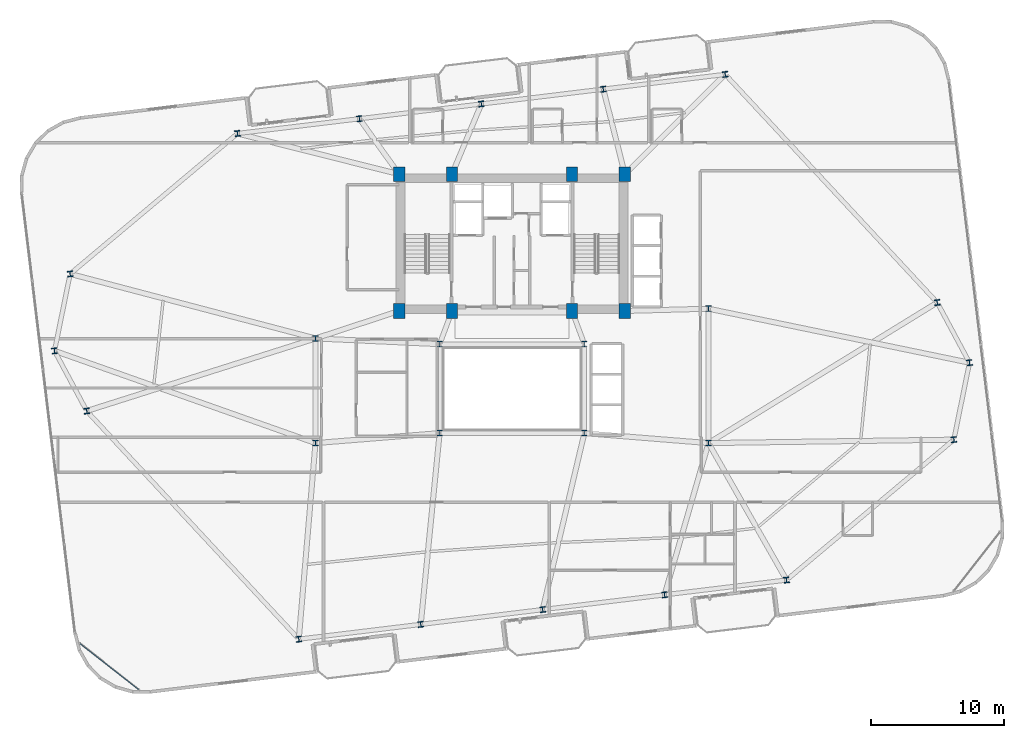
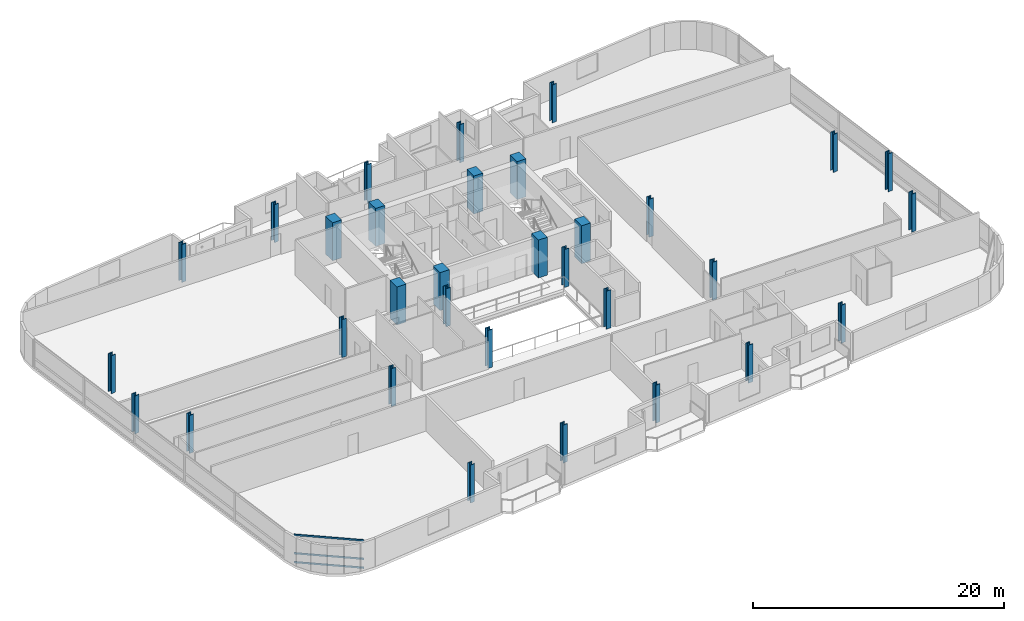
# One storey, part 1 of 23: 32 columns, 3 members, 1 element without a shape of its own.
"""IFC4 building model written with IfcOpenShell, lengths in metres."""

from ifc_helpers import new_model, si_unit, direction, frame, origin, origin_2d, place, context, subcontext, project, spatial, rectangle, hollow_rectangle, i_section, extrude, material, layer, layer_set, material_profile, profile_set, type_object, element, aggregate, save


model = new_model("IFC4")

# Units and contexts
model_context = context("Model", 3, precision=1e-05, world=origin(), true_north=direction((0.0, 1.0)))
body_context = subcontext(model_context, "Body", "Model", "MODEL_VIEW")
ifc_project = project(units=[si_unit("LENGTHUNIT", "METRE"), si_unit("AREAUNIT", "SQUARE_METRE"), si_unit("VOLUMEUNIT", "CUBIC_METRE"), si_unit("PLANEANGLEUNIT", "RADIAN"), si_unit("MASSUNIT", "GRAM", prefix="KILO")], contexts=[model_context])

# Site, building, storey
site_placement = place(None, origin())
site = spatial("IfcSite", under=ifc_project, at=site_placement, CompositionType="ELEMENT")
building_placement = place(site_placement, origin())
building = spatial("IfcBuilding", under=site, at=building_placement, Name="Varnelok Gate Tower", CompositionType="ELEMENT")
storey_placement = place(building_placement, frame((0.0, 0.0, 182.0)))
storey = spatial("IfcBuildingStorey", under=building, at=storey_placement, Name="L46", CompositionType="ELEMENT", Elevation=182.0)

# Columns
ifc_material_1 = material(Name="Concrete C60/75", Category="concrete")
ifc_material_profile_1 = material_profile(ifc_material_1, rectangle(XDim=0.85009765625, YDim=1.10009765625, at=origin_2d()), Name="RC1100X850")
ifc_profile_set_1 = profile_set([ifc_material_profile_1], Name="Concrete C60/75")
column_type_1 = type_object("IfcColumnType", Name="COL-RC1100X850", PredefinedType="COLUMN", material=ifc_profile_set_1)
for number, where, z_axis, x_axis, name in (
    (1, (30.699951171875, 28.75, 0.0), (0.0, 0.0, 1.0), (1.0, 0.0, 0.0), "L46 Core Spine Column SC1"),
    (2, (34.679931640625, 28.75, 0.0), (0.0, 0.0, 1.0), (1.0, 0.0, 0.0), "L46 Core Spine Column SC2"),
    (3, (43.719970703125, 28.75, 0.0), (0.0, 0.0, 1.0), (1.0, 0.0, 0.0), "L46 Core Spine Column SC3"),
    (4, (47.699951171875, 28.75, 0.0), (0.0, 0.0, 1.0), (1.0, 0.0, 0.0), "L46 Core Spine Column SC4"),
    (5, (30.699951171875, 39.050048828125, 0.0), (0.0, 0.0, 1.0), (1.0, 0.0, 0.0), "L46 Core Spine Column SC5"),
    (6, (34.679931640625, 39.050048828125, 0.0), (0.0, 0.0, 1.0), (1.0, 0.0, 0.0), "L46 Core Spine Column SC6"),
    (7, (43.719970703125, 39.050048828125, 0.0), (0.0, 0.0, 1.0), (1.0, 0.0, 0.0), "L46 Core Spine Column SC7"),
    (8, (47.699951171875, 39.050048828125, 0.0), (0.0, 0.0, 1.0), (1.0, 0.0, 0.0), "L46 Core Spine Column SC8"),
):
    element("IfcColumn", number, at=place(storey_placement, frame(where, z_axis=z_axis, x_axis=x_axis)), inside=storey, type_object=column_type_1, Name=name, PredefinedType="COLUMN", context=body_context, shape_type="SweptSolid", body=[
        extrude(rectangle(XDim=0.85009765625, YDim=1.10009765625, at=origin_2d()), origin(), (0.0, 0.0, 1.0), 3.699951171875),
    ])
ifc_material_2 = material(Name="Structural Steel ASTM A992 Grade 50", Category="steel")
ifc_material_profile_2 = material_profile(ifc_material_2, i_section(OverallWidth=0.412109375, OverallDepth=0.43505859375, WebThickness=0.035888671875, FlangeThickness=0.057373046875, FilletRadius=0.02490234375, at=origin_2d()), Name="W14X311")
ifc_profile_set_2 = profile_set([ifc_material_profile_2], Name="Structural Steel ASTM A992 Grade 50")
column_type_2 = type_object("IfcColumnType", Name="COL-W14X311", PredefinedType="COLUMN", material=ifc_profile_set_2)
for number, where, z_axis, x_axis, name in (
    (9, (23.142578125, 4.032958984375, 0.0), (0.0, 0.0, 1.0), (0.992732158755, 0.12034475881, 0.0), "L46 B4 Perimeter Column PC01"),
    (10, (32.325439453125, 5.146240234375, 0.0), (0.0, 0.0, 1.0), (0.992732158755, 0.12034475881, 0.0), "L46 B4 Perimeter Column PC02"),
    (11, (41.50830078125, 6.259521484375, 0.0), (0.0, 0.0, 1.0), (0.992732158755, 0.12034475881, 0.0), "L46 B4 Perimeter Column PC03"),
    (12, (50.69091796875, 7.37255859375, 0.0), (0.0, 0.0, 1.0), (0.992732158755, 0.12034475881, 0.0), "L46 B4 Perimeter Column PC04"),
    (13, (59.873779296875, 8.48583984375, 0.0), (0.0, 0.0, 1.0), (0.992732158755, 0.12034475881, 0.0), "L46 B4 Perimeter Column PC05"),
    (14, (72.476806640625, 19.059326171875, 0.0), (0.0, 0.0, 1.0), (0.992732158755, 0.12034475881, 0.0), "L46 B4 Perimeter Column PC06"),
    (15, (73.654296875, 24.85302734375, 0.0), (0.0, 0.0, 1.0), (0.992732158755, 0.12034475881, 0.0), "L46 B4 Perimeter Column PC07"),
    (16, (71.225341796875, 29.3837890625, 0.0), (0.0, 0.0, 1.0), (0.992732158755, 0.12034475881, 0.0), "L46 B4 Perimeter Column PC08"),
    (17, (55.25732421875, 46.56689453125, 0.0), (0.0, 0.0, 1.0), (0.992732158755, 0.12034475881, 0.0), "L46 B4 Perimeter Column PC09"),
    (18, (46.07470703125, 45.453857421875, 0.0), (0.0, 0.0, 1.0), (0.992732158755, 0.12034475881, 0.0), "L46 B4 Perimeter Column PC10"),
    (19, (36.891845703125, 44.340576171875, 0.0), (0.0, 0.0, 1.0), (0.992732158755, 0.12034475881, 0.0), "L46 B4 Perimeter Column PC11"),
    (20, (27.708984375, 43.227294921875, 0.0), (0.0, 0.0, 1.0), (0.992732158755, 0.12034475881, 0.0), "L46 B4 Perimeter Column PC12"),
    (21, (18.526123046875, 42.1142578125, 0.0), (0.0, 0.0, 1.0), (0.992732158755, 0.12034475881, 0.0), "L46 B4 Perimeter Column PC13"),
    (22, (5.923095703125, 31.540771484375, 0.0), (0.0, 0.0, 1.0), (0.992732158755, 0.12034475881, 0.0), "L46 B4 Perimeter Column PC14"),
    (23, (4.745849609375, 25.746826171875, 0.0), (0.0, 0.0, 1.0), (0.992732158755, 0.12034475881, 0.0), "L46 B4 Perimeter Column PC15"),
    (24, (7.1748046875, 21.21630859375, 0.0), (0.0, 0.0, 1.0), (0.992732158755, 0.12034475881, 0.0), "L46 B4 Perimeter Column PC16"),
):
    element("IfcColumn", number, at=place(storey_placement, frame(where, z_axis=z_axis, x_axis=x_axis)), inside=storey, type_object=column_type_2, Name=name, PredefinedType="COLUMN", context=body_context, shape_type="SweptSolid", body=[
        extrude(i_section(OverallWidth=0.412109375, OverallDepth=0.43505859375, WebThickness=0.035888671875, FlangeThickness=0.057373046875, FilletRadius=0.02490234375, at=origin_2d()), origin(), (0.0, 0.0, 1.0), 3.699951171875),
    ])
ifc_material_profile_3 = material_profile(ifc_material_2, i_section(OverallWidth=0.41796875, OverallDepth=0.455078125, WebThickness=0.0419921875, FlangeThickness=0.067626953125, FilletRadius=0.02490234375, at=origin_2d()), Name="W14X370")
ifc_profile_set_3 = profile_set([ifc_material_profile_3], Name="Structural Steel ASTM A992 Grade 50")
column_type_3 = type_object("IfcColumnType", Name="COL-W14X370", PredefinedType="COLUMN", material=ifc_profile_set_3)
for number, where, z_axis, x_axis, name in (
    (25, (33.75, 19.550048828125, 0.0), (0.0, 0.0, 1.0), (1.0, 0.0, 0.0), "L46 Atrium Spine Column AC1"),
    (26, (44.64990234375, 19.550048828125, 0.0), (0.0, 0.0, 1.0), (1.0, 0.0, 0.0), "L46 Atrium Spine Column AC2"),
    (27, (33.75, 26.25, 0.0), (0.0, 0.0, 1.0), (1.0, 0.0, 0.0), "L46 Atrium Spine Column AC3"),
    (28, (44.64990234375, 26.25, 0.0), (0.0, 0.0, 1.0), (1.0, 0.0, 0.0), "L46 Atrium Spine Column AC4"),
    (29, (24.39990234375, 18.800048828125, 0.0), (0.0, 0.0, 1.0), (1.0, 0.0, 0.0), "L46 Wing Spine Column WS1"),
    (30, (24.39990234375, 26.679931640625, 0.0), (0.0, 0.0, 1.0), (1.0, 0.0, 0.0), "L46 Wing Spine Column WS2"),
    (31, (54.0, 18.800048828125, 0.0), (0.0, 0.0, 1.0), (1.0, 0.0, 0.0), "L46 Wing Spine Column ES1"),
    (32, (54.0, 28.919921875, 0.0), (0.0, 0.0, 1.0), (1.0, 0.0, 0.0), "L46 Wing Spine Column ES2"),
):
    element("IfcColumn", number, at=place(storey_placement, frame(where, z_axis=z_axis, x_axis=x_axis)), inside=storey, type_object=column_type_3, Name=name, PredefinedType="COLUMN", context=body_context, shape_type="SweptSolid", body=[
        extrude(i_section(OverallWidth=0.41796875, OverallDepth=0.455078125, WebThickness=0.0419921875, FlangeThickness=0.067626953125, FilletRadius=0.02490234375, at=origin_2d()), origin(), (0.0, 0.0, 1.0), 3.699951171875),
    ])

# Curtain wall, members
ifc_material_3 = material(Name="Anodized Aluminum Alloy 6063-T6", Category="aluminium")
ifc_layer = layer(ifc_material_3, 0.179931640625)
ifc_layer_set = layer_set([ifc_layer], Name="Anodized Aluminum Alloy 6063-T6")
curtain_wall_type = type_object("IfcCurtainWallType", Name="CW5-WINDCORNER-GLAZ", PredefinedType="USERDEFINED", material=ifc_layer_set)
curtain_wall_placement = place(storey_placement, origin())
curtain_wall = element("IfcCurtainWall", 33, at=curtain_wall_placement, inside=storey, type_object=curtain_wall_type, Name="L46 Wind-Shaped Corner Curtain Wall SW", ObjectType="STRUCTURAL GLAZING", PredefinedType="USERDEFINED")
ifc_material_profile_4 = material_profile(ifc_material_3, hollow_rectangle(XDim=0.06494140625, YDim=0.159912109375, WallThickness=0.00390625, at=origin_2d()), Name="ALU160X65X4")
ifc_profile_set_4 = profile_set([ifc_material_profile_4], Name="Anodized Aluminum Alloy 6063-T6")
member_type = type_object("IfcMemberType", Name="CW-TRAN-160", PredefinedType="USERDEFINED", material=ifc_profile_set_4)
member_1_placement = place(storey_placement, frame((6.65869140625, 3.700927734375, 0.032470703125), z_axis=(0.787066165046, -0.616868585551, 0.0), x_axis=(0.616868585551, 0.787066165046, 0.0)))
member_1 = element("IfcMember", 34, at=member_1_placement, type_object=member_type, Name="CW5 transom 1.1", ObjectType="TRANSOM", PredefinedType="USERDEFINED", context=body_context, shape_type="SweptSolid", body=[
    extrude(hollow_rectangle(XDim=0.06494140625, YDim=0.159912109375, WallThickness=0.00390625, at=origin_2d()), origin(), (0.0, 0.0, 1.0), 5.6259765625),
])
member_2_placement = place(storey_placement, frame((6.65869140625, 3.700927734375, 0.89990234375), z_axis=(0.787066165046, -0.616868585551, 0.0), x_axis=(0.616868585551, 0.787066165046, 0.0)))
member_2 = element("IfcMember", 35, at=member_2_placement, type_object=member_type, Name="CW5 transom 1.2", ObjectType="TRANSOM", PredefinedType="USERDEFINED", context=body_context, shape_type="SweptSolid", body=[
    extrude(hollow_rectangle(XDim=0.06494140625, YDim=0.159912109375, WallThickness=0.00390625, at=origin_2d()), origin(), (0.0, 0.0, 1.0), 5.6259765625),
])
member_3_placement = place(storey_placement, frame((6.65869140625, 3.700927734375, 2.697509765625), z_axis=(0.787066165046, -0.616868585551, 0.0), x_axis=(0.616868585551, 0.787066165046, 0.0)))
member_3 = element("IfcMember", 36, at=member_3_placement, type_object=member_type, Name="CW5 transom 1.3", ObjectType="TRANSOM", PredefinedType="USERDEFINED", context=body_context, shape_type="SweptSolid", body=[
    extrude(hollow_rectangle(XDim=0.06494140625, YDim=0.159912109375, WallThickness=0.00390625, at=origin_2d()), origin(), (0.0, 0.0, 1.0), 5.6259765625),
])
aggregate(curtain_wall, [member_1, member_2, member_3])

save(model, "model.ifc")
